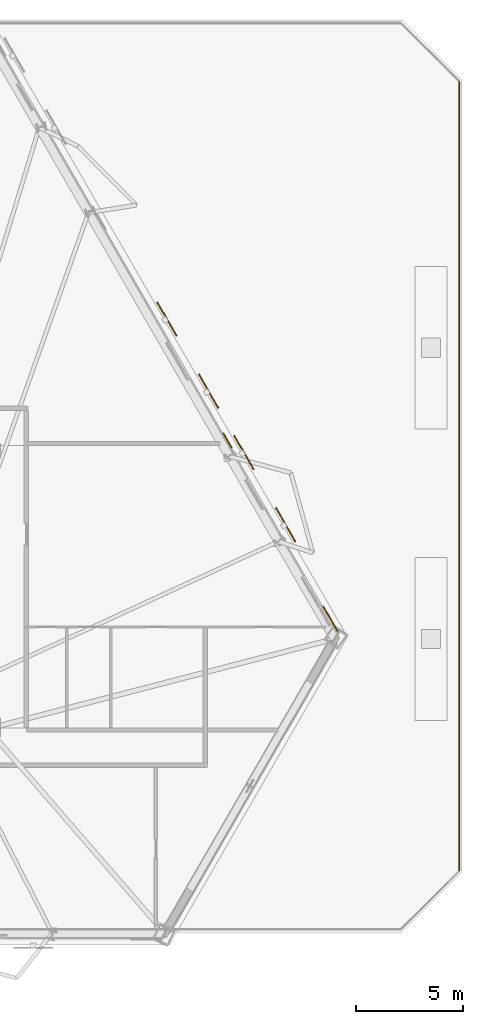
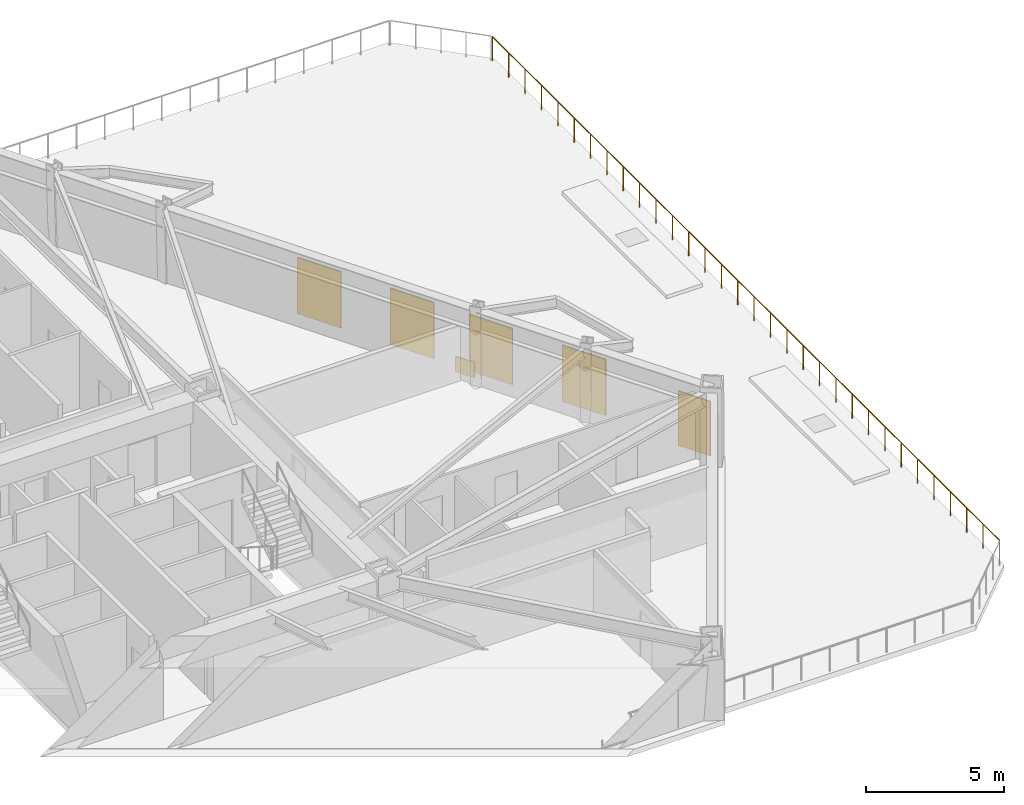
# One storey, part 13 of 14: 4 shading devices, 2 coverings, 1 railing.
"""IFC4 building model written with IfcOpenShell, lengths in metres."""

from ifc_helpers import new_model, si_unit, direction, frame, origin, origin_2d, place, context, subcontext, project, spatial, rectangle, circle, extrude, material, layer, layer_set, type_object, element, save


model = new_model("IFC4")

# Units and contexts
model_context = context("Model", 3, precision=1e-05, world=origin(), true_north=direction((0.0, 1.0)))
body_context = subcontext(model_context, "Body", "Model", "MODEL_VIEW")
ifc_project = project(units=[si_unit("LENGTHUNIT", "METRE"), si_unit("AREAUNIT", "SQUARE_METRE"), si_unit("VOLUMEUNIT", "CUBIC_METRE"), si_unit("PLANEANGLEUNIT", "RADIAN"), si_unit("MASSUNIT", "GRAM", prefix="KILO")], contexts=[model_context])

# Site, building, storey
site_placement = place(None, origin())
site = spatial("IfcSite", under=ifc_project, at=site_placement, CompositionType="ELEMENT")
building_placement = place(site_placement, origin())
building = spatial("IfcBuilding", under=site, at=building_placement, Name="Oramaril Tower", CompositionType="ELEMENT")
storey_placement = place(building_placement, frame((0.0, 0.0, 27.300048828125)))
storey = spatial("IfcBuildingStorey", under=building, at=storey_placement, Name="L06", CompositionType="ELEMENT", Elevation=27.300048828125)

# Coverings
ifc_material_1 = material(Name="Warm Cream Limestone", Category="masonry")
ifc_layer = layer(ifc_material_1, 0.050048828125)
ifc_layer_set = layer_set([ifc_layer], Name="CVT-CLD")
covering_type = type_object("IfcCoveringType", Name="CVT-CLD", PredefinedType="CLADDING", material=ifc_layer_set)
covering_1_placement = place(storey_placement, frame((61.65234375, 16.132568359375, 0.0400390625), z_axis=(0.0, 0.0, 1.0), x_axis=(-0.5, 0.866025403784, 0.0)))
element("IfcCovering", 1, at=covering_1_placement, inside=storey, type_object=covering_type, Name="L06 Warm Cream Limestone Cladding", PredefinedType="CLADDING", context=body_context, shape_type="SweptSolid", body=[
    extrude(rectangle(XDim=1.35009765625, YDim=0.050048828125, at=origin_2d()), origin(), (0.0, 0.0, 1.0), 2.4140625),
])
covering_2_placement = place(storey_placement, frame((56.841552734375, 24.46533203125, 0.0400390625), z_axis=(0.0, 0.0, 1.0), x_axis=(-0.5, 0.866025403784, 0.0)))
element("IfcCovering", 2, at=covering_2_placement, inside=storey, type_object=covering_type, Name="L06 Warm Cream Limestone Spandrel Cladding", PredefinedType="CLADDING", context=body_context, shape_type="SweptSolid", body=[
    extrude(rectangle(XDim=0.800048828125, YDim=0.050048828125, at=origin_2d()), origin(), (0.0, 0.0, 1.0), 0.679931640625),
])

# Railing
ifc_material_2 = material(Name="Stainless Steel 316L", Category="steel")
railing_type = type_object("IfcRailingType", Name="RLT-GRD", PredefinedType="GUARDRAIL", material=ifc_material_2)
railing_placement = place(storey_placement, frame((67.659912109375, 4.387939453125, 0.0)))
element("IfcRailing", 3, at=railing_placement, inside=storey, type_object=railing_type, Name="L06 Podium Terrace Guardrail 03", PredefinedType="GUARDRAIL", context=body_context, shape_type="SweptSolid", body=[
    extrude(circle(Radius=0.02392578125, at=origin_2d()), frame((0.0, 0.0, 1.076171875), z_axis=(0.0, 1.0, 0.0), x_axis=(-1.0, 0.0, 0.0)), (0.0, 0.0, 1.0), 36.823974609375),
    extrude(circle(Radius=0.02099609375, at=origin_2d()), origin(), (0.0, 0.0, 1.0), 1.052001953125),
    extrude(circle(Radius=0.02099609375, at=origin_2d()), frame((0.0, 1.18798828125, 0.0)), (0.0, 0.0, 1.0), 1.052001953125),
    extrude(circle(Radius=0.02099609375, at=origin_2d()), frame((0.0, 2.375732421875, 0.0)), (0.0, 0.0, 1.0), 1.052001953125),
    extrude(circle(Radius=0.02099609375, at=origin_2d()), frame((0.0, 3.563720703125, 0.0)), (0.0, 0.0, 1.0), 1.052001953125),
    extrude(circle(Radius=0.02099609375, at=origin_2d()), frame((0.0, 4.75146484375, 0.0)), (0.0, 0.0, 1.0), 1.052001953125),
    extrude(circle(Radius=0.02099609375, at=origin_2d()), frame((0.0, 5.939453125, 0.0)), (0.0, 0.0, 1.0), 1.052001953125),
    extrude(circle(Radius=0.02099609375, at=origin_2d()), frame((0.0, 7.127197265625, 0.0)), (0.0, 0.0, 1.0), 1.052001953125),
    extrude(circle(Radius=0.02099609375, at=origin_2d()), frame((0.0, 8.315185546875, 0.0)), (0.0, 0.0, 1.0), 1.052001953125),
    extrude(circle(Radius=0.02099609375, at=origin_2d()), frame((0.0, 9.5029296875, 0.0)), (0.0, 0.0, 1.0), 1.052001953125),
    extrude(circle(Radius=0.02099609375, at=origin_2d()), frame((0.0, 10.69091796875, 0.0)), (0.0, 0.0, 1.0), 1.052001953125),
    extrude(circle(Radius=0.02099609375, at=origin_2d()), frame((0.0, 11.878662109375, 0.0)), (0.0, 0.0, 1.0), 1.052001953125),
    extrude(circle(Radius=0.02099609375, at=origin_2d()), frame((0.0, 13.066650390625, 0.0)), (0.0, 0.0, 1.0), 1.052001953125),
    extrude(circle(Radius=0.02099609375, at=origin_2d()), frame((0.0, 14.25439453125, 0.0)), (0.0, 0.0, 1.0), 1.052001953125),
    extrude(circle(Radius=0.02099609375, at=origin_2d()), frame((0.0, 15.4423828125, 0.0)), (0.0, 0.0, 1.0), 1.052001953125),
    extrude(circle(Radius=0.02099609375, at=origin_2d()), frame((0.0, 16.630126953125, 0.0)), (0.0, 0.0, 1.0), 1.052001953125),
    extrude(circle(Radius=0.02099609375, at=origin_2d()), frame((0.0, 17.818115234375, 0.0)), (0.0, 0.0, 1.0), 1.052001953125),
    extrude(circle(Radius=0.02099609375, at=origin_2d()), frame((0.0, 19.005859375, 0.0)), (0.0, 0.0, 1.0), 1.052001953125),
    extrude(circle(Radius=0.02099609375, at=origin_2d()), frame((0.0, 20.19384765625, 0.0)), (0.0, 0.0, 1.0), 1.052001953125),
    extrude(circle(Radius=0.02099609375, at=origin_2d()), frame((0.0, 21.381591796875, 0.0)), (0.0, 0.0, 1.0), 1.052001953125),
    extrude(circle(Radius=0.02099609375, at=origin_2d()), frame((0.0, 22.569580078125, 0.0)), (0.0, 0.0, 1.0), 1.052001953125),
    extrude(circle(Radius=0.02099609375, at=origin_2d()), frame((0.0, 23.75732421875, 0.0)), (0.0, 0.0, 1.0), 1.052001953125),
    extrude(circle(Radius=0.02099609375, at=origin_2d()), frame((0.0, 24.9453125, 0.0)), (0.0, 0.0, 1.0), 1.052001953125),
    extrude(circle(Radius=0.02099609375, at=origin_2d()), frame((0.0, 26.133056640625, 0.0)), (0.0, 0.0, 1.0), 1.052001953125),
    extrude(circle(Radius=0.02099609375, at=origin_2d()), frame((0.0, 27.321044921875, 0.0)), (0.0, 0.0, 1.0), 1.052001953125),
    extrude(circle(Radius=0.02099609375, at=origin_2d()), frame((0.0, 28.5087890625, 0.0)), (0.0, 0.0, 1.0), 1.052001953125),
    extrude(circle(Radius=0.02099609375, at=origin_2d()), frame((0.0, 29.69677734375, 0.0)), (0.0, 0.0, 1.0), 1.052001953125),
    extrude(circle(Radius=0.02099609375, at=origin_2d()), frame((0.0, 30.884521484375, 0.0)), (0.0, 0.0, 1.0), 1.052001953125),
    extrude(circle(Radius=0.02099609375, at=origin_2d()), frame((0.0, 32.072509765625, 0.0)), (0.0, 0.0, 1.0), 1.052001953125),
    extrude(circle(Radius=0.02099609375, at=origin_2d()), frame((0.0, 33.26025390625, 0.0)), (0.0, 0.0, 1.0), 1.052001953125),
    extrude(circle(Radius=0.02099609375, at=origin_2d()), frame((0.0, 34.4482421875, 0.0)), (0.0, 0.0, 1.0), 1.052001953125),
    extrude(circle(Radius=0.02099609375, at=origin_2d()), frame((0.0, 35.635986328125, 0.0)), (0.0, 0.0, 1.0), 1.052001953125),
    extrude(circle(Radius=0.02099609375, at=origin_2d()), frame((0.0, 36.823974609375, 0.0)), (0.0, 0.0, 1.0), 1.052001953125),
])

# Shading devices
for number, where, z_axis, x_axis, name in (
    (4, (59.560546875, 20.530029296875, -0.02001953125), (0.0, 0.0, 1.0), (-0.5, 0.866025403784, 0.0), "L06 Perforated Ceramic Solar Screen"),
    (5, (57.610595703125, 23.907470703125, -0.02001953125), (0.0, 0.0, 1.0), (-0.5, 0.866025403784, 0.0), "L06 Perforated Ceramic Solar Screen"),
    (6, (55.961181640625, 26.764404296875, -0.02001953125), (0.0, 0.0, 1.0), (-0.5, 0.866025403784, 0.0), "L06 Perforated Ceramic Solar Screen"),
    (7, (54.010986328125, 30.141845703125, -0.02001953125), (0.0, 0.0, 1.0), (-0.5, 0.866025403784, 0.0), "L06 Perforated Ceramic Solar Screen"),
):
    element("IfcShadingDevice", number, at=place(storey_placement, frame(where, z_axis=z_axis, x_axis=x_axis)), inside=storey, Name=name, ObjectType="SCREEN", PredefinedType="USERDEFINED", context=body_context, shape_type="SweptSolid", body=[
        extrude(rectangle(XDim=1.8330078125, YDim=0.050048828125, at=origin_2d()), origin(), (0.0, 0.0, 1.0), 2.493896484375),
    ])

save(model, "model.ifc")
